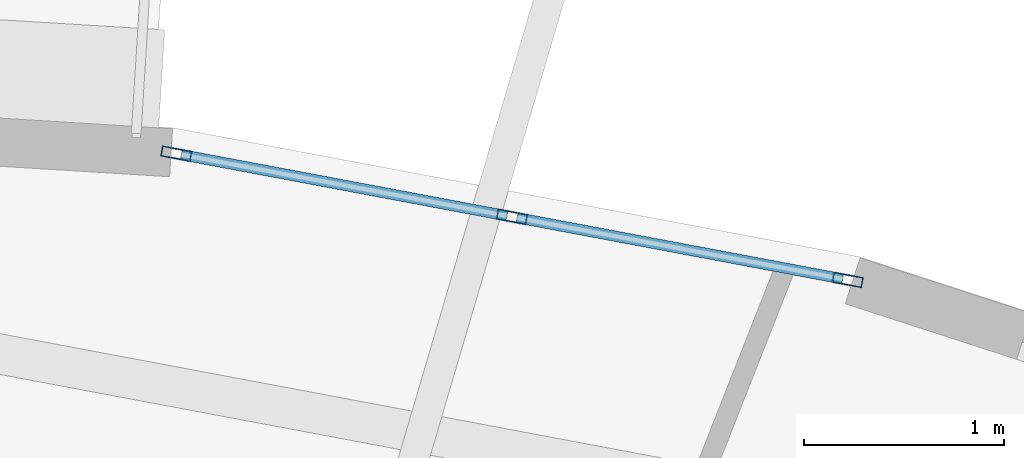
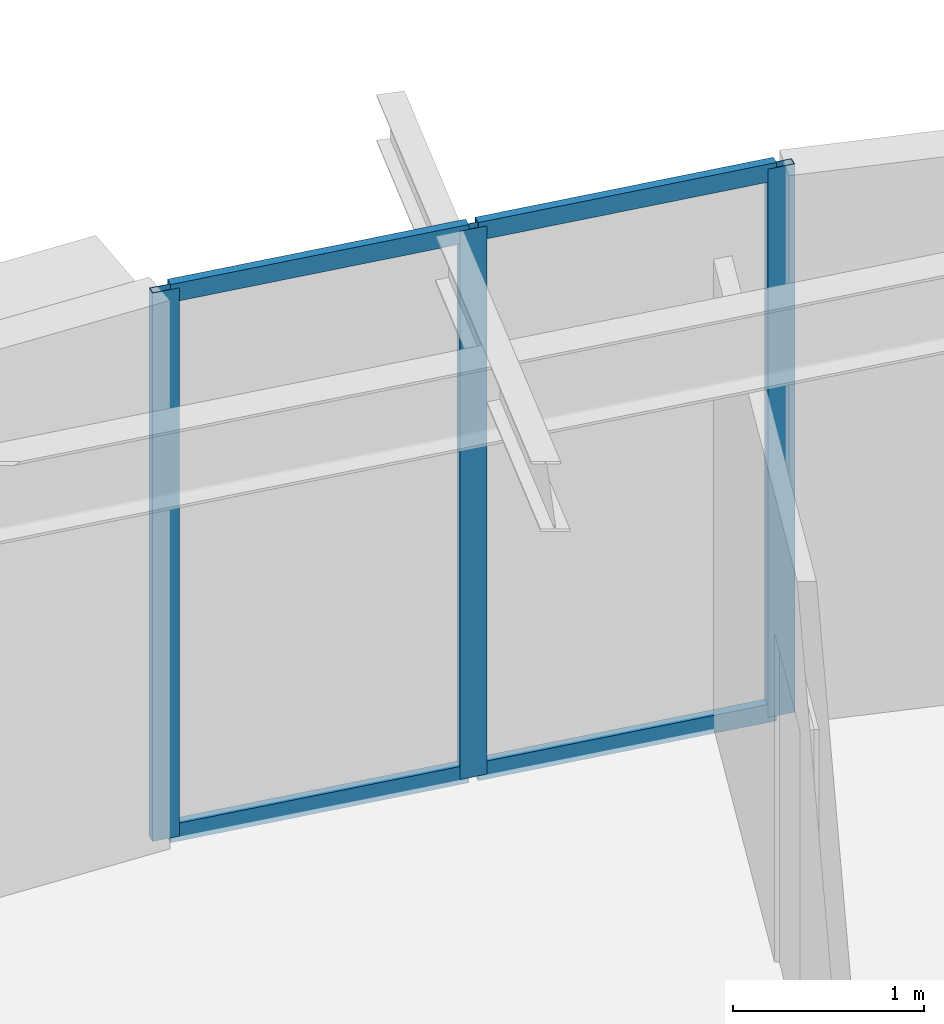
# One storey, part 4 of 20: 7 members, 1 element without a shape of its own.
"""IFC4 building model written with IfcOpenShell, lengths in metres."""

from ifc_helpers import new_model, si_unit, direction, frame, origin, origin_2d, place, context, subcontext, project, spatial, hollow_rectangle, extrude, source, transform, mapped, material, layer, layer_set, material_profile, profile_set, type_object, element, aggregate, save


model = new_model("IFC4")

# Units and contexts
model_context = context("Model", 3, precision=1e-05, world=origin(), true_north=direction((0.0, 1.0)))
body_context = subcontext(model_context, "Body", "Model", "MODEL_VIEW")
ifc_project = project(units=[si_unit("LENGTHUNIT", "METRE"), si_unit("AREAUNIT", "SQUARE_METRE"), si_unit("VOLUMEUNIT", "CUBIC_METRE"), si_unit("PLANEANGLEUNIT", "RADIAN"), si_unit("MASSUNIT", "GRAM", prefix="KILO")], contexts=[model_context])

# Site, building, storey
site_placement = place(None, origin())
site = spatial("IfcSite", under=ifc_project, at=site_placement, CompositionType="ELEMENT")
building_placement = place(site_placement, origin())
building = spatial("IfcBuilding", under=site, at=building_placement, Name="Linh Dai School and Residence Tower", CompositionType="ELEMENT")
storey_placement = place(building_placement, frame((0.0, 0.0, 288.0)))
storey = spatial("IfcBuildingStorey", under=building, at=storey_placement, Name="L71", CompositionType="ELEMENT", Elevation=288.0)

# Curtain wall, members
ifc_material_1 = material(Name="Aluminium Anodised Curtain Wall", Category="aluminium")
ifc_layer = layer(ifc_material_1, 0.14990234375)
ifc_layer_set = layer_set([ifc_layer], Name="Aluminium Anodised Curtain Wall")
curtain_wall_type = type_object("IfcCurtainWallType", Name="CW-SYS-4", PredefinedType="USERDEFINED", material=ifc_layer_set)
curtain_wall_placement = place(storey_placement, origin())
curtain_wall = element("IfcCurtainWall", 1, at=curtain_wall_placement, inside=storey, type_object=curtain_wall_type, Name="L71 CW4 Curtain Wall 09", ObjectType="RIBBON CURTAIN WALL", PredefinedType="USERDEFINED")
ifc_material_2 = material(Name="Aluminium Alloy 6063-T6", Category="aluminium")
ifc_material_profile_1 = material_profile(ifc_material_2, hollow_rectangle(XDim=0.052001953125, YDim=0.14990234375, WallThickness=0.00390625, at=origin_2d()), Name="RHS 150x52x4")
ifc_profile_set_1 = profile_set([ifc_material_profile_1], Name="Aluminium Alloy 6063-T6")
member_type_1 = type_object("IfcMemberType", Name="CW-SYS-4-MUL", PredefinedType="MULLION", material=ifc_profile_set_1)
shared_shape_1 = source(origin(), body_context, "Body", "SweptSolid", [
    extrude(hollow_rectangle(XDim=0.052001953125, YDim=0.14990234375, WallThickness=0.00390625, at=origin_2d()), origin(), (0.0, 0.0, 1.0), 3.5),
])
member_1_placement = place(storey_placement, frame((39.514404296875, 44.1953125, 0.0), z_axis=(0.0, 0.0, 1.0), x_axis=(0.184751197452, 0.982785325002, 0.0)))
member_1 = element("IfcMember", 2, at=member_1_placement, type_object=member_type_1, Name="CW4 mullion 1", PredefinedType="MULLION", context=body_context, shape_type="MappedRepresentation", body=[
    mapped(shared_shape_1, transform((0.0, 0.0, 0.0), x_axis=(1.0, 0.0, 0.0), y_axis=(0.0, 1.0, 0.0), z_axis=(0.0, 0.0, 1.0), scale=1.0)),
])
member_2_placement = place(storey_placement, frame((41.18994140625, 43.880126953125, 0.0), z_axis=(0.0, 0.0, 1.0), x_axis=(0.184751197452, 0.982785325002, 0.0)))
member_2 = element("IfcMember", 3, at=member_2_placement, type_object=member_type_1, Name="CW4 mullion 2", PredefinedType="MULLION", context=body_context, shape_type="MappedRepresentation", body=[
    mapped(shared_shape_1, transform((0.0, 0.0, 0.0), x_axis=(1.0, 0.0, 0.0), y_axis=(0.0, 1.0, 0.0), z_axis=(0.0, 0.0, 1.0), scale=1.0)),
])
member_3_placement = place(storey_placement, frame((42.86572265625, 43.565185546875, 0.0), z_axis=(0.0, 0.0, 1.0), x_axis=(0.184751197452, 0.982785325002, 0.0)))
member_3 = element("IfcMember", 4, at=member_3_placement, type_object=member_type_1, Name="CW4 mullion 3", PredefinedType="MULLION", context=body_context, shape_type="MappedRepresentation", body=[
    mapped(shared_shape_1, transform((0.0, 0.0, 0.0), x_axis=(1.0, 0.0, 0.0), y_axis=(0.0, 1.0, 0.0), z_axis=(0.0, 0.0, 1.0), scale=1.0)),
])
ifc_material_profile_2 = material_profile(ifc_material_2, hollow_rectangle(XDim=0.052001953125, YDim=0.114990234375, WallThickness=0.00390625, at=origin_2d()), Name="RHS 115x52x4")
ifc_profile_set_2 = profile_set([ifc_material_profile_2], Name="Aluminium Alloy 6063-T6")
member_type_2 = type_object("IfcMemberType", Name="CW-SYS-4-TRN", PredefinedType="USERDEFINED", material=ifc_profile_set_2)
shared_shape_2 = source(origin(), body_context, "Body", "SweptSolid", [
    extrude(hollow_rectangle(XDim=0.052001953125, YDim=0.114990234375, WallThickness=0.00390625, at=origin_2d()), origin(), (0.0, 0.0, 1.0), 1.653076171875),
])
member_4_placement = place(storey_placement, frame((39.539794921875, 44.1904296875, 0.02587890625), z_axis=(0.982781778181, -0.184770063797, 0.0), x_axis=(0.184770063797, 0.982781778181, 0.0)))
member_4 = element("IfcMember", 5, at=member_4_placement, type_object=member_type_2, Name="CW4 transom 1.1", ObjectType="TRANSOM", PredefinedType="USERDEFINED", context=body_context, shape_type="MappedRepresentation", body=[
    mapped(shared_shape_2, transform((0.0, 0.0, 0.0), x_axis=(1.0, 0.0, 0.0), y_axis=(0.0, 1.0, 0.0), z_axis=(0.0, 0.0, 1.0), scale=1.0)),
])
member_5_placement = place(storey_placement, frame((39.539794921875, 44.1904296875, 3.47412109375), z_axis=(0.982781778181, -0.184770063797, 0.0), x_axis=(0.184770063797, 0.982781778181, 0.0)))
member_5 = element("IfcMember", 6, at=member_5_placement, type_object=member_type_2, Name="CW4 transom 1.2", ObjectType="TRANSOM", PredefinedType="USERDEFINED", context=body_context, shape_type="MappedRepresentation", body=[
    mapped(shared_shape_2, transform((0.0, 0.0, 0.0), x_axis=(1.0, 0.0, 0.0), y_axis=(0.0, 1.0, 0.0), z_axis=(0.0, 0.0, 1.0), scale=1.0)),
])
member_6_placement = place(storey_placement, frame((41.215576171875, 43.87548828125, 0.02587890625), z_axis=(0.982781778181, -0.184770063797, 0.0), x_axis=(0.184770063797, 0.982781778181, 0.0)))
member_6 = element("IfcMember", 7, at=member_6_placement, type_object=member_type_2, Name="CW4 transom 2.1", ObjectType="TRANSOM", PredefinedType="USERDEFINED", context=body_context, shape_type="MappedRepresentation", body=[
    mapped(shared_shape_2, transform((0.0, 0.0, 0.0), x_axis=(1.0, 0.0, 0.0), y_axis=(0.0, 1.0, 0.0), z_axis=(0.0, 0.0, 1.0), scale=1.0)),
])
member_7_placement = place(storey_placement, frame((41.215576171875, 43.87548828125, 3.47412109375), z_axis=(0.982781778181, -0.184770063797, 0.0), x_axis=(0.184770063797, 0.982781778181, 0.0)))
member_7 = element("IfcMember", 8, at=member_7_placement, type_object=member_type_2, Name="CW4 transom 2.2", ObjectType="TRANSOM", PredefinedType="USERDEFINED", context=body_context, shape_type="MappedRepresentation", body=[
    mapped(shared_shape_2, transform((0.0, 0.0, 0.0), x_axis=(1.0, 0.0, 0.0), y_axis=(0.0, 1.0, 0.0), z_axis=(0.0, 0.0, 1.0), scale=1.0)),
])
aggregate(curtain_wall, [member_1, member_2, member_3, member_4, member_5, member_6, member_7])

save(model, "model.ifc")
